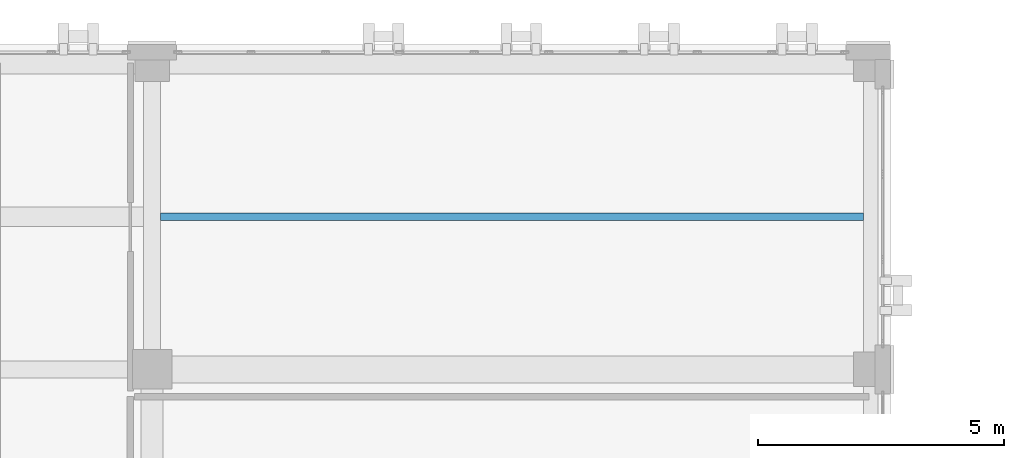
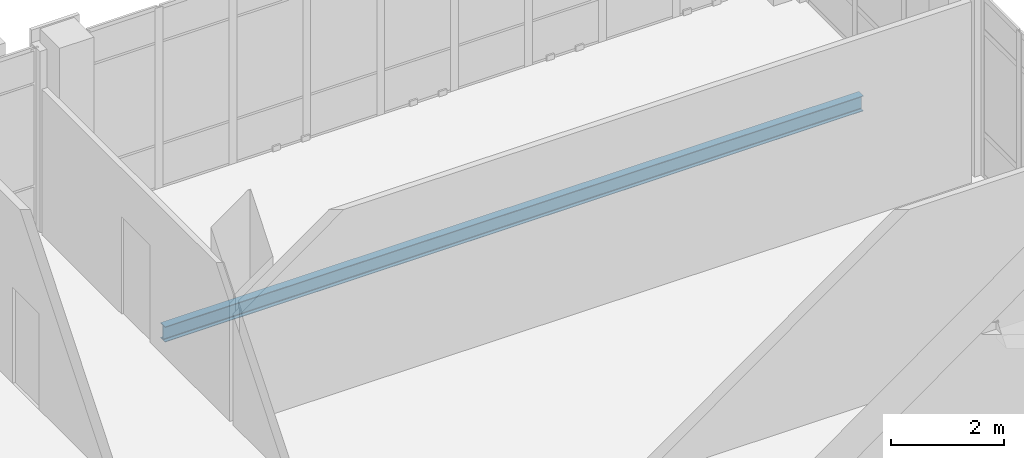
# One storey, part 109 of 193: 1 beam.
"""IFC4 building model written with IfcOpenShell, lengths in metres."""

from ifc_helpers import new_model, si_unit, direction, frame, origin, origin_2d, place, context, subcontext, project, spatial, i_section, extrude, material, material_profile, profile_set, type_object, element, save


model = new_model("IFC4")

# Units and contexts
model_context = context("Model", 3, precision=1e-05, world=origin(), true_north=direction((0.0, 1.0)))
body_context = subcontext(model_context, "Body", "Model", "MODEL_VIEW")
ifc_project = project(units=[si_unit("LENGTHUNIT", "METRE"), si_unit("AREAUNIT", "SQUARE_METRE"), si_unit("VOLUMEUNIT", "CUBIC_METRE"), si_unit("PLANEANGLEUNIT", "RADIAN"), si_unit("MASSUNIT", "GRAM", prefix="KILO")], contexts=[model_context])

# Site, building, storey
site_placement = place(None, origin())
site = spatial("IfcSite", under=ifc_project, at=site_placement, CompositionType="ELEMENT")
building_placement = place(site_placement, origin())
building = spatial("IfcBuilding", under=site, at=building_placement, Name="Qalavern Law Courts", CompositionType="ELEMENT")
storey_placement = place(building_placement, frame((0.0, 0.0, 10.199951171875)))
storey = spatial("IfcBuildingStorey", under=building, at=storey_placement, Name="L02", CompositionType="ELEMENT", Elevation=10.199951171875)

# Beam
ifc_material = material(Name="Steel S355", Category="steel")
ifc_material_profile = material_profile(ifc_material, i_section(OverallWidth=0.159912109375, OverallDepth=0.330078125, WebThickness=0.007568359375, FlangeThickness=0.011474609375, FilletRadius=0.01806640625, at=origin_2d()), Name="IPE 330")
ifc_profile_set = profile_set([ifc_material_profile], Name="Steel S355")
beam_type = type_object("IfcBeamType", Name="STR-JST-IPE330", PredefinedType="JOIST", material=ifc_profile_set)
beam_placement = place(storey_placement, frame((91.972900390625, 82.300048828125, -0.454833984375), z_axis=(1.0, 0.0, 0.0), x_axis=(0.0, 1.0, 0.0)))
element("IfcBeam", 1, at=beam_placement, inside=storey, type_object=beam_type, Name="V4 secondary joist 2.6.1 L02", PredefinedType="JOIST", context=body_context, shape_type="SweptSolid", body=[
    extrude(i_section(OverallWidth=0.159912109375, OverallDepth=0.330078125, WebThickness=0.007568359375, FlangeThickness=0.011474609375, FilletRadius=0.01806640625, at=origin_2d()), origin(), (0.0, 0.0, 1.0), 14.279052734375),
])

save(model, "model.ifc")
